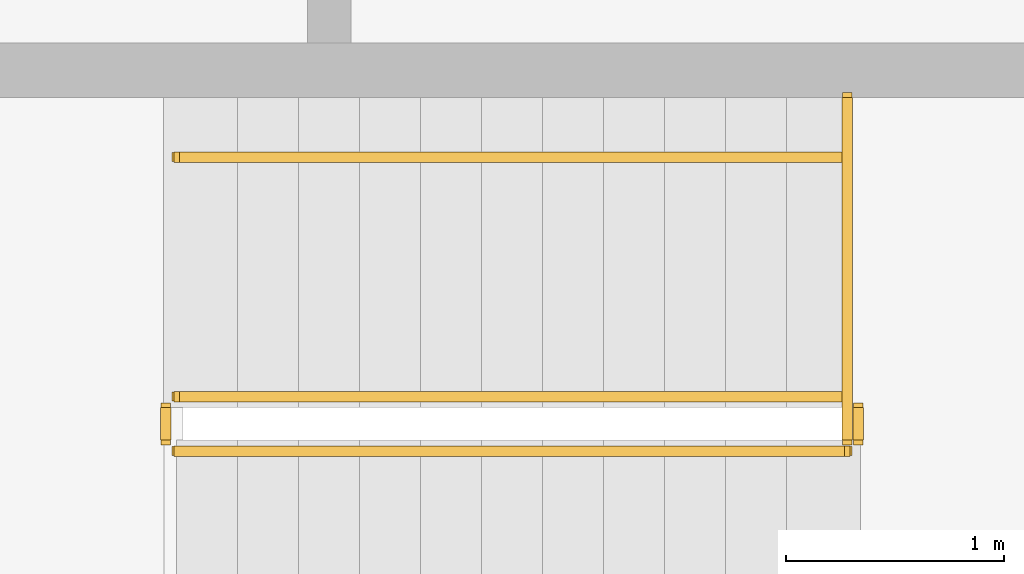
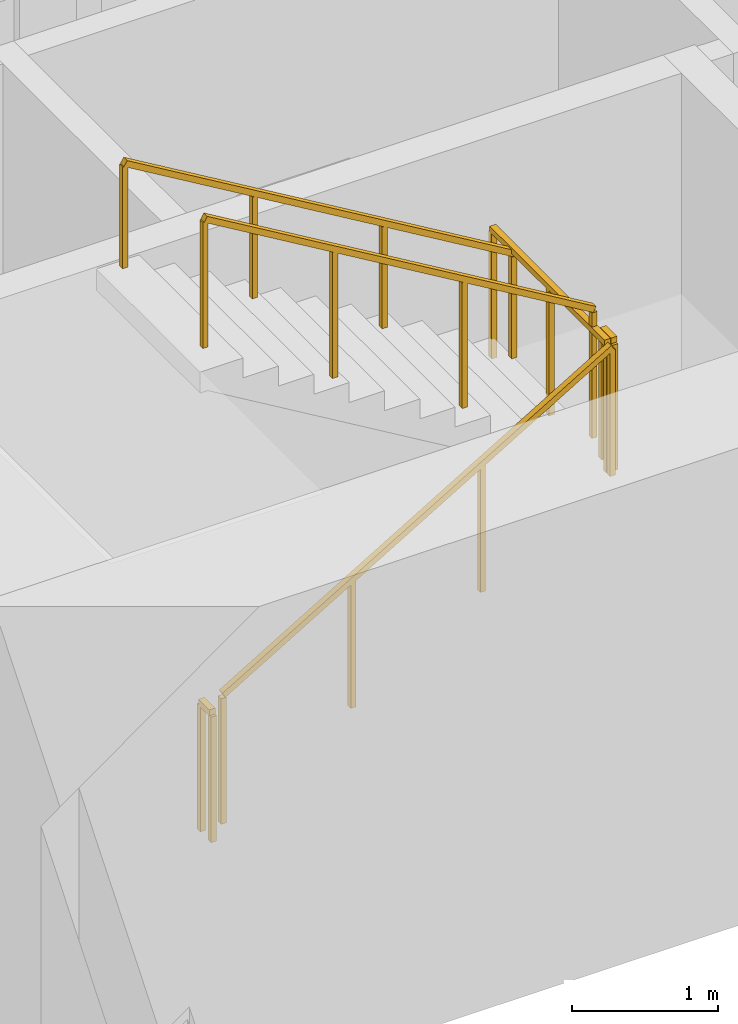
# One storey, part 14 of 17: 6 railings.
"""IFC4 building model written with IfcOpenShell, lengths in metres."""

from ifc_helpers import new_model, si_unit, direction, frame, origin, origin_2d, place, context, subcontext, project, spatial, rectangle, extrude, material, type_object, element, save


model = new_model("IFC4")

# Units and contexts
model_context = context("Model", 3, precision=1e-05, world=origin(), true_north=direction((0.0, 1.0)))
body_context = subcontext(model_context, "Body", "Model", "MODEL_VIEW")
ifc_project = project(units=[si_unit("LENGTHUNIT", "METRE"), si_unit("AREAUNIT", "SQUARE_METRE"), si_unit("VOLUMEUNIT", "CUBIC_METRE"), si_unit("PLANEANGLEUNIT", "RADIAN"), si_unit("MASSUNIT", "GRAM", prefix="KILO")], contexts=[model_context])

# Site, building, storey
site_placement = place(None, origin())
site = spatial("IfcSite", under=ifc_project, at=site_placement, CompositionType="ELEMENT")
building_placement = place(site_placement, origin())
building = spatial("IfcBuilding", under=site, at=building_placement, Name="Sennacour Bend Tower", CompositionType="ELEMENT")
storey_placement = place(building_placement, frame((0.0, 0.0, 219.0)))
storey = spatial("IfcBuildingStorey", under=building, at=storey_placement, Name="L50", CompositionType="ELEMENT", Elevation=219.0)

# Railings
ifc_material = material(Name="Stainless steel", Category="steel")
railing_type_1 = type_object("IfcRailingType", Name="RL-GUARD-1100", PredefinedType="GUARDRAIL", material=ifc_material)
railing_1_placement = place(storey_placement, frame((56.699951171875, 2.449951171875, 0.166748046875)))
element("IfcRailing", 1, at=railing_1_placement, inside=storey, type_object=railing_type_1, Name="L50 SA1 stair guard 1", PredefinedType="GUARDRAIL", context=body_context, shape_type="SweptSolid", body=[
    extrude(rectangle(XDim=0.048095703125, YDim=0.048095703125, at=origin_2d()), frame((0.0, 0.0, 1.076171875), z_axis=(0.859308565015, 0.0, 0.511457515432), x_axis=(0.0, 1.0, 0.0)), (0.0, 0.0, 1.0), 3.58447265625),
    extrude(rectangle(XDim=0.0419921875, YDim=0.0419921875, at=origin_2d()), origin(), (0.0, 0.0, 1.0), 1.052001953125),
    extrude(rectangle(XDim=0.0419921875, YDim=0.0419921875, at=origin_2d()), frame((1.026611328125, 0.0, 0.611083984375)), (0.0, 0.0, 1.0), 1.052001953125),
    extrude(rectangle(XDim=0.0419921875, YDim=0.0419921875, at=origin_2d()), frame((2.053466796875, 0.0, 1.22216796875)), (0.0, 0.0, 1.0), 1.052001953125),
    extrude(rectangle(XDim=0.0419921875, YDim=0.0419921875, at=origin_2d()), frame((3.080078125, 0.0, 1.833251953125)), (0.0, 0.0, 1.0), 1.052001953125),
])
railing_2_placement = place(storey_placement, frame((59.830078125, 2.5, 2.0)))
element("IfcRailing", 2, at=railing_2_placement, inside=storey, type_object=railing_type_1, Name="L50 SA1 stair guard 2", PredefinedType="GUARDRAIL", context=body_context, shape_type="SweptSolid", body=[
    extrude(rectangle(XDim=0.048095703125, YDim=0.048095703125, at=origin_2d()), frame((0.0, 0.0, 1.076171875), z_axis=(0.0, 1.0, 0.0), x_axis=(-1.0, 0.0, 0.0)), (0.0, 0.0, 1.0), 0.14990234375),
    extrude(rectangle(XDim=0.0419921875, YDim=0.0419921875, at=origin_2d()), origin(), (0.0, 0.0, 1.0), 1.052001953125),
    extrude(rectangle(XDim=0.0419921875, YDim=0.0419921875, at=origin_2d()), frame((0.0, 0.14990234375, 0.0)), (0.0, 0.0, 1.0), 1.052001953125),
])
railing_3_placement = place(storey_placement, frame((59.780029296875, 2.699951171875, 2.166748046875)))
element("IfcRailing", 3, at=railing_3_placement, inside=storey, type_object=railing_type_1, Name="L50 SA1 stair guard 4", PredefinedType="GUARDRAIL", context=body_context, shape_type="SweptSolid", body=[
    extrude(rectangle(XDim=0.048095703125, YDim=0.048095703125, at=origin_2d()), frame((0.0, 0.0, 1.076171875), z_axis=(-0.859308565015, 0.0, 0.511457515432), x_axis=(0.0, -1.0, 0.0)), (0.0, 0.0, 1.0), 3.58447265625),
    extrude(rectangle(XDim=0.0419921875, YDim=0.0419921875, at=origin_2d()), origin(), (0.0, 0.0, 1.0), 1.052001953125),
    extrude(rectangle(XDim=0.0419921875, YDim=0.0419921875, at=origin_2d()), frame((-1.026611328125, 0.0, 0.611083984375)), (0.0, 0.0, 1.0), 1.052001953125),
    extrude(rectangle(XDim=0.0419921875, YDim=0.0419921875, at=origin_2d()), frame((-2.053466796875, 0.0, 1.22216796875)), (0.0, 0.0, 1.0), 1.052001953125),
    extrude(rectangle(XDim=0.0419921875, YDim=0.0419921875, at=origin_2d()), frame((-3.080078125, 0.0, 1.833251953125)), (0.0, 0.0, 1.0), 1.052001953125),
])
railing_4_placement = place(storey_placement, frame((56.64990234375, 2.5, 0.0)))
element("IfcRailing", 4, at=railing_4_placement, inside=storey, type_object=railing_type_1, Name="L50 SA1 stair guard 5", PredefinedType="GUARDRAIL", context=body_context, shape_type="SweptSolid", body=[
    extrude(rectangle(XDim=0.048095703125, YDim=0.048095703125, at=origin_2d()), frame((0.0, 0.0, 1.076171875), z_axis=(0.0, 1.0, 0.0), x_axis=(-1.0, 0.0, 0.0)), (0.0, 0.0, 1.0), 0.14990234375),
    extrude(rectangle(XDim=0.0419921875, YDim=0.0419921875, at=origin_2d()), origin(), (0.0, 0.0, 1.0), 1.052001953125),
    extrude(rectangle(XDim=0.0419921875, YDim=0.0419921875, at=origin_2d()), frame((0.0, 0.14990234375, 0.0)), (0.0, 0.0, 1.0), 1.052001953125),
])
railing_5_placement = place(storey_placement, frame((59.780029296875, 2.5, 2.0)))
element("IfcRailing", 5, at=railing_5_placement, inside=storey, type_object=railing_type_1, Name="L50 SA1 landing edge guard 72", PredefinedType="GUARDRAIL", context=body_context, shape_type="SweptSolid", body=[
    extrude(rectangle(XDim=0.048095703125, YDim=0.048095703125, at=origin_2d()), frame((0.0, 0.0, 1.076171875), z_axis=(0.0, 1.0, 0.0), x_axis=(-1.0, 0.0, 0.0)), (0.0, 0.0, 1.0), 1.574951171875),
    extrude(rectangle(XDim=0.0419921875, YDim=0.0419921875, at=origin_2d()), origin(), (0.0, 0.0, 1.0), 1.052001953125),
    extrude(rectangle(XDim=0.0419921875, YDim=0.0419921875, at=origin_2d()), frame((0.0, 0.78759765625, 0.0)), (0.0, 0.0, 1.0), 1.052001953125),
    extrude(rectangle(XDim=0.0419921875, YDim=0.0419921875, at=origin_2d()), frame((0.0, 1.574951171875, 0.0)), (0.0, 0.0, 1.0), 1.052001953125),
])
railing_type_2 = type_object("IfcRailingType", Name="RL-HANDRAIL-900", PredefinedType="HANDRAIL", material=ifc_material)
railing_6_placement = place(storey_placement, frame((59.780029296875, 3.800048828125, 2.166748046875)))
element("IfcRailing", 6, at=railing_6_placement, inside=storey, type_object=railing_type_2, Name="L50 SA1 stair handrail 2", PredefinedType="HANDRAIL", context=body_context, shape_type="SweptSolid", body=[
    extrude(rectangle(XDim=0.048095703125, YDim=0.048095703125, at=origin_2d()), frame((0.0, 0.0, 0.8759765625), z_axis=(-0.859308565015, 0.0, 0.511457515432), x_axis=(0.0, -1.0, 0.0)), (0.0, 0.0, 1.0), 3.58447265625),
    extrude(rectangle(XDim=0.0419921875, YDim=0.0419921875, at=origin_2d()), origin(), (0.0, 0.0, 1.0), 0.851806640625),
    extrude(rectangle(XDim=0.0419921875, YDim=0.0419921875, at=origin_2d()), frame((-1.026611328125, 0.0, 0.611083984375)), (0.0, 0.0, 1.0), 0.851806640625),
    extrude(rectangle(XDim=0.0419921875, YDim=0.0419921875, at=origin_2d()), frame((-2.053466796875, 0.0, 1.22216796875)), (0.0, 0.0, 1.0), 0.851806640625),
    extrude(rectangle(XDim=0.0419921875, YDim=0.0419921875, at=origin_2d()), frame((-3.080078125, 0.0, 1.833251953125)), (0.0, 0.0, 1.0), 0.851806640625),
])

save(model, "model.ifc")
